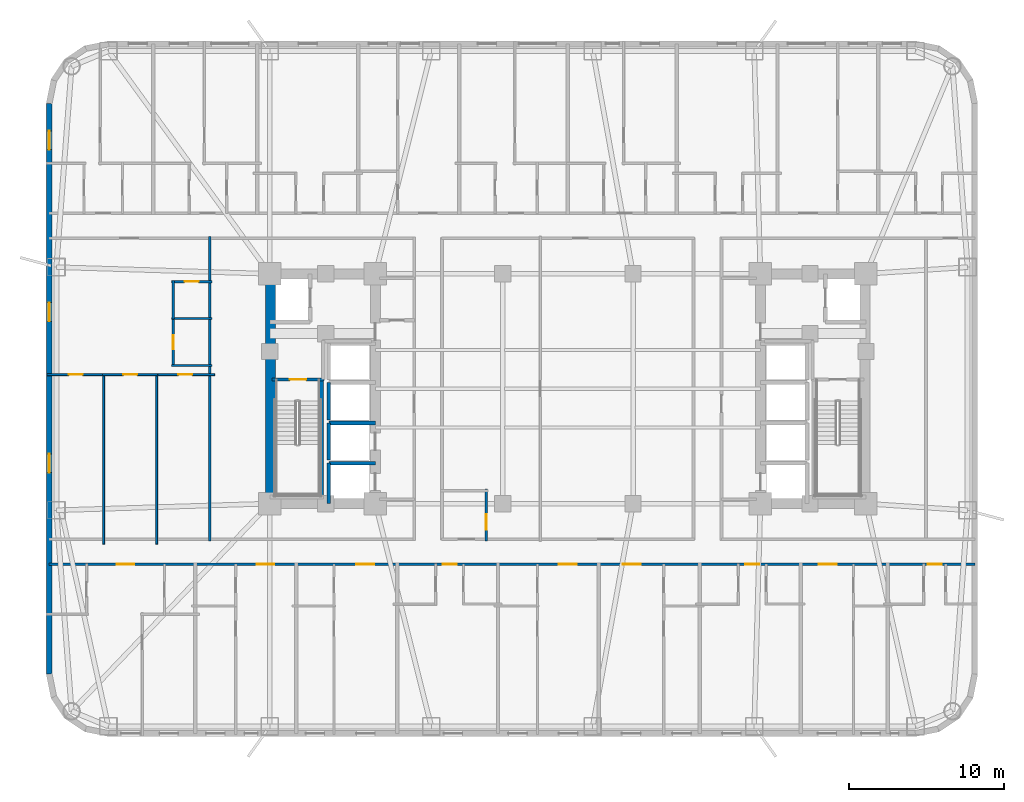
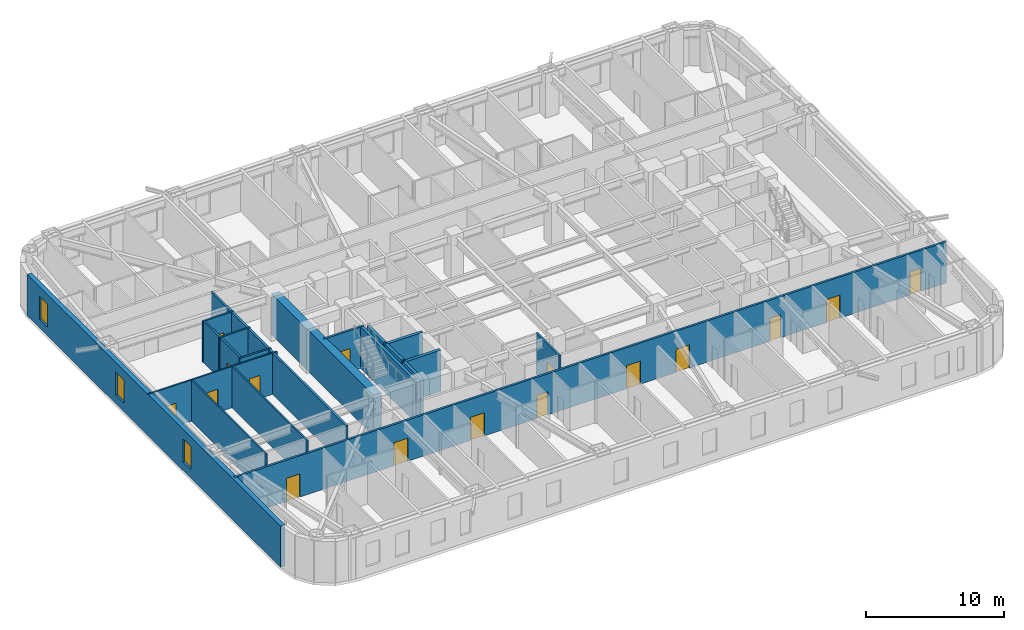
# One storey, part 4 of 11: 22 walls, 16 doors, 3 windows, 19 openings.
"""IFC4 building model written with IfcOpenShell, lengths in metres."""

from ifc_helpers import new_model, si_unit, direction, frame, frame_2d, origin, place, context, subcontext, project, spatial, rectangle, extrude, material, layer, layer_set, type_object, element, fill, save


model = new_model("IFC4")

# Units and contexts
model_context = context("Model", 3, precision=1e-05, world=origin(), true_north=direction((0.0, 1.0)))
body_context = subcontext(model_context, "Body", "Model", "MODEL_VIEW")
ifc_project = project(units=[si_unit("LENGTHUNIT", "METRE"), si_unit("AREAUNIT", "SQUARE_METRE"), si_unit("VOLUMEUNIT", "CUBIC_METRE"), si_unit("PLANEANGLEUNIT", "RADIAN"), si_unit("MASSUNIT", "GRAM", prefix="KILO")], contexts=[model_context])

# Site, building, storey
site_placement = place(None, origin())
site = spatial("IfcSite", under=ifc_project, at=site_placement, CompositionType="ELEMENT")
building_placement = place(site_placement, origin())
building = spatial("IfcBuilding", under=site, at=building_placement, Name="Voryun Gate Residences", CompositionType="ELEMENT")
storey_placement = place(building_placement, frame((0.0, 0.0, 49.39990234375)))
storey = spatial("IfcBuildingStorey", under=building, at=storey_placement, Name="L11", CompositionType="ELEMENT", Elevation=49.39990234375)

# Wall
ifc_material_1 = material(Name="Concrete C60/75", Category="concrete")
ifc_layer_1 = layer(ifc_material_1, 0.64990234375, Name="CW_CORE_650")
ifc_layer_set_1 = layer_set([ifc_layer_1], Name="Concrete C60/75")
wall_type_1 = type_object("IfcWallType", Name="CW_CORE_650", PredefinedType="SHEAR", material=ifc_layer_set_1)
wall_1_placement = place(storey_placement, frame((-19.14501953125, -7.39990234375, 0.0), z_axis=(0.0, 0.0, 1.0), x_axis=(0.0, 1.0, 0.0)))
element("IfcWall", 1, at=wall_1_placement, inside=storey, type_object=wall_type_1, Name="L11 Core shear wall CW-L11-WW", PredefinedType="SHEAR", context=body_context, shape_type="SweptSolid", body=[
    extrude(rectangle(XDim=14.7998046875, YDim=0.64990234375, at=frame_2d((7.39990234375, 0.0))), origin(), (0.0, 0.0, 1.0), 3.650146484375),
])

# Wall, opening, door
ifc_material_2 = material(Name="Gypsum acoustic fireboard")
ifc_layer_2 = layer(ifc_material_2, 0.179931640625, Name="W_CORR_RATED_180")
ifc_layer_set_2 = layer_set([ifc_layer_2], Name="Gypsum acoustic fireboard")
wall_type_2 = type_object("IfcWallType", Name="W_CORR_RATED_180", PredefinedType="PARTITIONING", material=ifc_layer_set_2)
wall_2_placement = place(storey_placement, frame((-19.06005859375, 0.60009765625, 0.0), z_axis=(0.0, 0.0, 1.0), x_axis=(1.0, 0.0, 0.0)))
wall_2 = element("IfcWall", 2, at=wall_2_placement, inside=storey, type_object=wall_type_2, Name="Partition wall WP-L11-STV-W", PredefinedType="PARTITIONING", context=body_context, shape_type="SweptSolid", body=[
    extrude(rectangle(XDim=3.360107421875, YDim=0.179931640625, at=frame_2d((1.68017578125, 0.0))), origin(), (0.0, 0.0, 1.0), 3.650146484375),
])
opening_1_placement = place(wall_2_placement, frame((1.155029296875, 0.0, 0.0)))
opening_1 = element("IfcOpeningElement", 3, at=opening_1_placement, cuts=wall_2, Name="Opening D-FD60-1", PredefinedType="OPENING", context=body_context, shape_type="SweptSolid", body=[
    extrude(rectangle(XDim=1.050048828125, YDim=2.050048828125, at=frame_2d((0.52490234375, 1.02490234375))), frame((0.0, 0.099853515625, 0.0), z_axis=(0.0, -1.0, 0.0), x_axis=(1.0, 0.0, 0.0)), (0.0, 0.0, 1.0), 0.199951171875),
])
ifc_material_3 = material(Name="Painted steel fire door", Category="steel")
door_type_1 = type_object("IfcDoorType", Name="DR_FD60_STAIR_1050", OperationType="NOTDEFINED", PredefinedType="DOOR", material=ifc_material_3)
door_1_placement = place(opening_1_placement, origin())
door_1 = element("IfcDoor", 4, at=door_1_placement, inside=storey, type_object=door_type_1, Name="Door DR-L11-ST-W", OperationType="SINGLE_SWING_LEFT", OverallHeight=2.050048828125, OverallWidth=1.050048828125, PredefinedType="DOOR", context=body_context, shape_type="SweptSolid", body=[
    extrude(rectangle(XDim=1.050048828125, YDim=2.050048828125, at=frame_2d((0.52490234375, 1.02490234375))), frame((0.0, 0.02490234375, 0.0), z_axis=(0.0, -1.0, 0.0), x_axis=(1.0, 0.0, 0.0)), (0.0, 0.0, 1.0), 0.050048828125),
])
fill(opening_1, door_1)

# Wall, openings, doors
wall_3_placement = place(storey_placement, frame((-33.409912109375, -11.300048828125, 0.0), z_axis=(0.0, 0.0, 1.0), x_axis=(1.0, 0.0, 0.0)))
wall_3 = element("IfcWall", 5, at=wall_3_placement, inside=storey, type_object=wall_type_2, Name="Partition wall WP-L11-SCORR", PredefinedType="PARTITIONING", context=body_context, shape_type="SweptSolid", body=[
    extrude(rectangle(XDim=59.619873046875, YDim=0.179931640625, at=frame_2d((29.81005859375, 0.0))), origin(), (0.0, 0.0, 1.0), 3.650146484375),
])
opening_2_placement = place(wall_3_placement, frame((4.34375, 0.0, 0.0)))
opening_2 = element("IfcOpeningElement", 6, at=opening_2_placement, cuts=wall_3, Name="Opening D-UNIT-1", PredefinedType="OPENING", context=body_context, shape_type="SweptSolid", body=[
    extrude(rectangle(XDim=1.14990234375, YDim=2.050048828125, at=frame_2d((0.574951171875, 1.02490234375))), frame((0.0, 0.099853515625, 0.0), z_axis=(0.0, -1.0, 0.0), x_axis=(1.0, 0.0, 0.0)), (0.0, 0.0, 1.0), 0.199951171875),
])
opening_3_placement = place(wall_3_placement, frame((13.358154296875, 0.0, 0.0)))
opening_3 = element("IfcOpeningElement", 7, at=opening_3_placement, cuts=wall_3, Name="Opening D-UNIT-1", PredefinedType="OPENING", context=body_context, shape_type="SweptSolid", body=[
    extrude(rectangle(XDim=1.14990234375, YDim=2.050048828125, at=frame_2d((0.574951171875, 1.02490234375))), frame((0.0, 0.099853515625, 0.0), z_axis=(0.0, -1.0, 0.0), x_axis=(1.0, 0.0, 0.0)), (0.0, 0.0, 1.0), 0.199951171875),
])
opening_4_placement = place(wall_3_placement, frame((19.773193359375, 0.0, 0.0)))
opening_4 = element("IfcOpeningElement", 8, at=opening_4_placement, cuts=wall_3, Name="Opening D-UNIT-1", PredefinedType="OPENING", context=body_context, shape_type="SweptSolid", body=[
    extrude(rectangle(XDim=1.14990234375, YDim=2.050048828125, at=frame_2d((0.574951171875, 1.02490234375))), frame((0.0, 0.099853515625, 0.0), z_axis=(0.0, -1.0, 0.0), x_axis=(1.0, 0.0, 0.0)), (0.0, 0.0, 1.0), 0.199951171875),
])
opening_5_placement = place(wall_3_placement, frame((25.335693359375, 0.0, 0.0)))
opening_5 = element("IfcOpeningElement", 9, at=opening_5_placement, cuts=wall_3, Name="Opening D-INT-2", PredefinedType="OPENING", context=body_context, shape_type="SweptSolid", body=[
    extrude(rectangle(XDim=0.89990234375, YDim=2.050048828125, at=frame_2d((0.449951171875, 1.02490234375))), frame((0.0, 0.099853515625, 0.0), z_axis=(0.0, -1.0, 0.0), x_axis=(1.0, 0.0, 0.0)), (0.0, 0.0, 1.0), 0.199951171875),
])
opening_6_placement = place(wall_3_placement, frame((32.830078125, 0.0, 0.0)))
opening_6 = element("IfcOpeningElement", 10, at=opening_6_placement, cuts=wall_3, Name="Opening D-UNIT-1", PredefinedType="OPENING", context=body_context, shape_type="SweptSolid", body=[
    extrude(rectangle(XDim=1.14990234375, YDim=2.050048828125, at=frame_2d((0.574951171875, 1.02490234375))), frame((0.0, 0.099853515625, 0.0), z_axis=(0.0, -1.0, 0.0), x_axis=(1.0, 0.0, 0.0)), (0.0, 0.0, 1.0), 0.199951171875),
])
opening_7_placement = place(wall_3_placement, frame((36.94970703125, 0.0, 0.0)))
opening_7 = element("IfcOpeningElement", 11, at=opening_7_placement, cuts=wall_3, Name="Opening D-UNIT-1", PredefinedType="OPENING", context=body_context, shape_type="SweptSolid", body=[
    extrude(rectangle(XDim=1.14990234375, YDim=2.050048828125, at=frame_2d((0.574951171875, 1.02490234375))), frame((0.0, 0.099853515625, 0.0), z_axis=(0.0, -1.0, 0.0), x_axis=(1.0, 0.0, 0.0)), (0.0, 0.0, 1.0), 0.199951171875),
])
opening_8_placement = place(wall_3_placement, frame((44.83740234375, 0.0, 0.0)))
opening_8 = element("IfcOpeningElement", 12, at=opening_8_placement, cuts=wall_3, Name="Opening D-INT-2", PredefinedType="OPENING", context=body_context, shape_type="SweptSolid", body=[
    extrude(rectangle(XDim=0.89990234375, YDim=2.050048828125, at=frame_2d((0.449951171875, 1.02490234375))), frame((0.0, 0.099853515625, 0.0), z_axis=(0.0, -1.0, 0.0), x_axis=(1.0, 0.0, 0.0)), (0.0, 0.0, 1.0), 0.199951171875),
])
opening_9_placement = place(wall_3_placement, frame((49.5654296875, 0.0, 0.0)))
opening_9 = element("IfcOpeningElement", 13, at=opening_9_placement, cuts=wall_3, Name="Opening D-UNIT-1", PredefinedType="OPENING", context=body_context, shape_type="SweptSolid", body=[
    extrude(rectangle(XDim=1.14990234375, YDim=2.050048828125, at=frame_2d((0.574951171875, 1.02490234375))), frame((0.0, 0.099853515625, 0.0), z_axis=(0.0, -1.0, 0.0), x_axis=(1.0, 0.0, 0.0)), (0.0, 0.0, 1.0), 0.199951171875),
])
opening_10_placement = place(wall_3_placement, frame((56.58251953125, 0.0, 0.0)))
opening_10 = element("IfcOpeningElement", 14, at=opening_10_placement, cuts=wall_3, Name="Opening D-INT-2", PredefinedType="OPENING", context=body_context, shape_type="SweptSolid", body=[
    extrude(rectangle(XDim=0.89990234375, YDim=2.050048828125, at=frame_2d((0.449951171875, 1.02490234375))), frame((0.0, 0.099853515625, 0.0), z_axis=(0.0, -1.0, 0.0), x_axis=(1.0, 0.0, 0.0)), (0.0, 0.0, 1.0), 0.199951171875),
])
ifc_material_4 = material(Name="Architectural oak veneer")
door_type_2 = type_object("IfcDoorType", Name="DR_INT_BATH_900", OperationType="NOTDEFINED", PredefinedType="DOOR", material=ifc_material_4)
door_2_placement = place(opening_5_placement, origin())
door_2 = element("IfcDoor", 15, at=door_2_placement, inside=storey, type_object=door_type_2, Name="Door DR-L11-SENT-4", OperationType="SINGLE_SWING_LEFT", OverallHeight=2.050048828125, OverallWidth=0.89990234375, PredefinedType="DOOR", context=body_context, shape_type="SweptSolid", body=[
    extrude(rectangle(XDim=0.89990234375, YDim=2.050048828125, at=frame_2d((0.449951171875, 1.02490234375))), frame((0.0, 0.02490234375, 0.0), z_axis=(0.0, -1.0, 0.0), x_axis=(1.0, 0.0, 0.0)), (0.0, 0.0, 1.0), 0.050048828125),
])
fill(opening_5, door_2)
door_3_placement = place(opening_8_placement, origin())
door_3 = element("IfcDoor", 16, at=door_3_placement, inside=storey, type_object=door_type_2, Name="Door DR-L11-SENT-7", OperationType="SINGLE_SWING_RIGHT", OverallHeight=2.050048828125, OverallWidth=0.89990234375, PredefinedType="DOOR", context=body_context, shape_type="SweptSolid", body=[
    extrude(rectangle(XDim=0.89990234375, YDim=2.050048828125, at=frame_2d((0.449951171875, 1.02490234375))), frame((0.0, 0.02490234375, 0.0), z_axis=(0.0, -1.0, 0.0), x_axis=(1.0, 0.0, 0.0)), (0.0, 0.0, 1.0), 0.050048828125),
])
fill(opening_8, door_3)
door_4_placement = place(opening_10_placement, origin())
door_4 = element("IfcDoor", 17, at=door_4_placement, inside=storey, type_object=door_type_2, Name="Door DR-L11-SENT-9", OperationType="SINGLE_SWING_RIGHT", OverallHeight=2.050048828125, OverallWidth=0.89990234375, PredefinedType="DOOR", context=body_context, shape_type="SweptSolid", body=[
    extrude(rectangle(XDim=0.89990234375, YDim=2.050048828125, at=frame_2d((0.449951171875, 1.02490234375))), frame((0.0, 0.02490234375, 0.0), z_axis=(0.0, -1.0, 0.0), x_axis=(1.0, 0.0, 0.0)), (0.0, 0.0, 1.0), 0.050048828125),
])
fill(opening_10, door_4)
ifc_material_5 = material(Name="Armoured timber-clad fire door", Category="wood")
door_type_3 = type_object("IfcDoorType", Name="DR_UNIT_ENTRY_1150", OperationType="NOTDEFINED", PredefinedType="DOOR", material=ifc_material_5)
door_5_placement = place(opening_2_placement, origin())
door_5 = element("IfcDoor", 18, at=door_5_placement, inside=storey, type_object=door_type_3, Name="Door DR-L11-SENT-1", OperationType="SINGLE_SWING_RIGHT", OverallHeight=2.050048828125, OverallWidth=1.14990234375, PredefinedType="DOOR", context=body_context, shape_type="SweptSolid", body=[
    extrude(rectangle(XDim=1.14990234375, YDim=2.050048828125, at=frame_2d((0.574951171875, 1.02490234375))), frame((0.0, 0.02490234375, 0.0), z_axis=(0.0, -1.0, 0.0), x_axis=(1.0, 0.0, 0.0)), (0.0, 0.0, 1.0), 0.050048828125),
])
fill(opening_2, door_5)
door_6_placement = place(opening_3_placement, origin())
door_6 = element("IfcDoor", 19, at=door_6_placement, inside=storey, type_object=door_type_3, Name="Door DR-L11-SENT-2", OperationType="SINGLE_SWING_LEFT", OverallHeight=2.050048828125, OverallWidth=1.14990234375, PredefinedType="DOOR", context=body_context, shape_type="SweptSolid", body=[
    extrude(rectangle(XDim=1.14990234375, YDim=2.050048828125, at=frame_2d((0.574951171875, 1.02490234375))), frame((0.0, 0.02490234375, 0.0), z_axis=(0.0, -1.0, 0.0), x_axis=(1.0, 0.0, 0.0)), (0.0, 0.0, 1.0), 0.050048828125),
])
fill(opening_3, door_6)
door_7_placement = place(opening_4_placement, origin())
door_7 = element("IfcDoor", 20, at=door_7_placement, inside=storey, type_object=door_type_3, Name="Door DR-L11-SENT-3", OperationType="SINGLE_SWING_RIGHT", OverallHeight=2.050048828125, OverallWidth=1.14990234375, PredefinedType="DOOR", context=body_context, shape_type="SweptSolid", body=[
    extrude(rectangle(XDim=1.14990234375, YDim=2.050048828125, at=frame_2d((0.574951171875, 1.02490234375))), frame((0.0, 0.02490234375, 0.0), z_axis=(0.0, -1.0, 0.0), x_axis=(1.0, 0.0, 0.0)), (0.0, 0.0, 1.0), 0.050048828125),
])
fill(opening_4, door_7)
door_8_placement = place(opening_6_placement, origin())
door_8 = element("IfcDoor", 21, at=door_8_placement, inside=storey, type_object=door_type_3, Name="Door DR-L11-SENT-5", OperationType="SINGLE_SWING_RIGHT", OverallHeight=2.050048828125, OverallWidth=1.14990234375, PredefinedType="DOOR", context=body_context, shape_type="SweptSolid", body=[
    extrude(rectangle(XDim=1.14990234375, YDim=2.050048828125, at=frame_2d((0.574951171875, 1.02490234375))), frame((0.0, 0.02490234375, 0.0), z_axis=(0.0, -1.0, 0.0), x_axis=(1.0, 0.0, 0.0)), (0.0, 0.0, 1.0), 0.050048828125),
])
fill(opening_6, door_8)
door_9_placement = place(opening_7_placement, origin())
door_9 = element("IfcDoor", 22, at=door_9_placement, inside=storey, type_object=door_type_3, Name="Door DR-L11-SENT-6", OperationType="SINGLE_SWING_LEFT", OverallHeight=2.050048828125, OverallWidth=1.14990234375, PredefinedType="DOOR", context=body_context, shape_type="SweptSolid", body=[
    extrude(rectangle(XDim=1.14990234375, YDim=2.050048828125, at=frame_2d((0.574951171875, 1.02490234375))), frame((0.0, 0.02490234375, 0.0), z_axis=(0.0, -1.0, 0.0), x_axis=(1.0, 0.0, 0.0)), (0.0, 0.0, 1.0), 0.050048828125),
])
fill(opening_7, door_9)
door_10_placement = place(opening_9_placement, origin())
door_10 = element("IfcDoor", 23, at=door_10_placement, inside=storey, type_object=door_type_3, Name="Door DR-L11-SENT-8", OperationType="SINGLE_SWING_LEFT", OverallHeight=2.050048828125, OverallWidth=1.14990234375, PredefinedType="DOOR", context=body_context, shape_type="SweptSolid", body=[
    extrude(rectangle(XDim=1.14990234375, YDim=2.050048828125, at=frame_2d((0.574951171875, 1.02490234375))), frame((0.0, 0.02490234375, 0.0), z_axis=(0.0, -1.0, 0.0), x_axis=(1.0, 0.0, 0.0)), (0.0, 0.0, 1.0), 0.050048828125),
])
fill(opening_9, door_10)

# Wall
wall_4_placement = place(storey_placement, frame((-23.070068359375, -9.81005859375, 0.0), z_axis=(0.0, 0.0, 1.0), x_axis=(0.0, 1.0, 0.0)))
element("IfcWall", 24, at=wall_4_placement, inside=storey, type_object=wall_type_2, Name="Partition wall WP-L11-WCOR", PredefinedType="PARTITIONING", context=body_context, shape_type="SweptSolid", body=[
    extrude(rectangle(XDim=19.6201171875, YDim=0.179931640625, at=frame_2d((9.81005859375, 0.0))), origin(), (0.0, 0.0, 1.0), 3.650146484375),
])

# Wall, openings, windows
ifc_material_6 = material(Name="Granite masonry", Category="masonry")
ifc_layer_3 = layer(ifc_material_6, 0.3798828125, Name="W_EXT_GRANITE_380")
ifc_layer_set_3 = layer_set([ifc_layer_3], Name="Granite masonry")
wall_type_3 = type_object("IfcWallType", Name="W_EXT_GRANITE_380", PredefinedType="ELEMENTEDWALL", material=ifc_layer_set_3)
wall_5_placement = place(storey_placement, frame((-33.409912109375, -18.38134765625, 0.0), z_axis=(0.0, 0.0, 1.0), x_axis=(0.0, 1.0, 0.0)))
wall_5 = element("IfcWall", 25, at=wall_5_placement, inside=storey, type_object=wall_type_3, Name="Exterior wall WEXT-L11-06", PredefinedType="ELEMENTEDWALL", context=body_context, shape_type="SweptSolid", body=[
    extrude(rectangle(XDim=36.7626953125, YDim=0.3798828125, at=frame_2d((18.38134765625, 0.0))), origin(), (0.0, 0.0, 1.0), 3.650146484375),
])
opening_11_placement = place(wall_5_placement, frame((33.786865234375, 0.0, 0.75)))
opening_11 = element("IfcOpeningElement", 26, at=opening_11_placement, cuts=wall_5, Name="Opening WN6", PredefinedType="OPENING", context=body_context, shape_type="SweptSolid", body=[
    extrude(rectangle(XDim=1.199951171875, YDim=2.050048828125, at=frame_2d((0.60009765625, 1.02490234375))), frame((0.0, 0.199951171875, 0.0), z_axis=(0.0, -1.0, 0.0), x_axis=(1.0, 0.0, 0.0)), (0.0, 0.0, 1.0), 0.39990234375),
])
opening_12_placement = place(wall_5_placement, frame((22.726318359375, 0.0, 0.75)))
opening_12 = element("IfcOpeningElement", 27, at=opening_12_placement, cuts=wall_5, Name="Opening WN6", PredefinedType="OPENING", context=body_context, shape_type="SweptSolid", body=[
    extrude(rectangle(XDim=1.199951171875, YDim=2.050048828125, at=frame_2d((0.60009765625, 1.02490234375))), frame((0.0, 0.199951171875, 0.0), z_axis=(0.0, -1.0, 0.0), x_axis=(1.0, 0.0, 0.0)), (0.0, 0.0, 1.0), 0.39990234375),
])
opening_13_placement = place(wall_5_placement, frame((12.976318359375, 0.0, 0.75)))
opening_13 = element("IfcOpeningElement", 28, at=opening_13_placement, cuts=wall_5, Name="Opening WN6", PredefinedType="OPENING", context=body_context, shape_type="SweptSolid", body=[
    extrude(rectangle(XDim=1.199951171875, YDim=2.050048828125, at=frame_2d((0.60009765625, 1.02490234375))), frame((0.0, 0.199951171875, 0.0), z_axis=(0.0, -1.0, 0.0), x_axis=(1.0, 0.0, 0.0)), (0.0, 0.0, 1.0), 0.39990234375),
])
ifc_material_7 = material(Name="Laminated low-E glass", Category="glass")
window_type = type_object("IfcWindowType", Name="WN_POD_SLOT_1200", PartitioningType="SINGLE_PANEL", PredefinedType="WINDOW", material=ifc_material_7)
window_1_placement = place(opening_11_placement, origin())
window_1 = element("IfcWindow", 29, at=window_1_placement, inside=storey, type_object=window_type, Name="Window WN-L11-DWFIX-01", OverallHeight=2.050048828125, OverallWidth=1.199951171875, PartitioningType="SINGLE_PANEL", PredefinedType="WINDOW", context=body_context, shape_type="SweptSolid", body=[
    extrude(rectangle(XDim=1.199951171875, YDim=2.050048828125, at=frame_2d((0.60009765625, 1.02490234375))), frame((0.0, 0.030029296875, 0.0), z_axis=(0.0, -1.0, 0.0), x_axis=(1.0, 0.0, 0.0)), (0.0, 0.0, 1.0), 0.06005859375),
])
fill(opening_11, window_1)
window_2_placement = place(opening_12_placement, origin())
window_2 = element("IfcWindow", 30, at=window_2_placement, inside=storey, type_object=window_type, Name="Window WN-L11-DWFIX-28", OverallHeight=2.050048828125, OverallWidth=1.199951171875, PartitioningType="SINGLE_PANEL", PredefinedType="WINDOW", context=body_context, shape_type="SweptSolid", body=[
    extrude(rectangle(XDim=1.199951171875, YDim=2.050048828125, at=frame_2d((0.60009765625, 1.02490234375))), frame((0.0, 0.030029296875, 0.0), z_axis=(0.0, -1.0, 0.0), x_axis=(1.0, 0.0, 0.0)), (0.0, 0.0, 1.0), 0.06005859375),
])
fill(opening_12, window_2)
window_3_placement = place(opening_13_placement, origin())
window_3 = element("IfcWindow", 31, at=window_3_placement, inside=storey, type_object=window_type, Name="Window WN-L11-DWFIX-29", OverallHeight=2.050048828125, OverallWidth=1.199951171875, PartitioningType="SINGLE_PANEL", PredefinedType="WINDOW", context=body_context, shape_type="SweptSolid", body=[
    extrude(rectangle(XDim=1.199951171875, YDim=2.050048828125, at=frame_2d((0.60009765625, 1.02490234375))), frame((0.0, 0.030029296875, 0.0), z_axis=(0.0, -1.0, 0.0), x_axis=(1.0, 0.0, 0.0)), (0.0, 0.0, 1.0), 0.06005859375),
])
fill(opening_13, window_3)

# Walls
ifc_material_8 = material(Name="Concrete C50/60", Category="concrete")
ifc_layer_4 = layer(ifc_material_8, 0.25, Name="W_SHAFT_RC250")
ifc_layer_set_4 = layer_set([ifc_layer_4], Name="Concrete C50/60")
wall_type_4 = type_object("IfcWallType", Name="W_SHAFT_RC250", PredefinedType="SOLIDWALL", material=ifc_layer_set_4)
wall_6_placement = place(storey_placement, frame((-15.860107421875, -7.0849609375, 0.0), z_axis=(0.0, 0.0, 1.0), x_axis=(0.0, 1.0, 0.0)))
element("IfcWall", 32, at=wall_6_placement, inside=storey, type_object=wall_type_4, Name="L11 Stair shaft structural wall W-STR", PredefinedType="SOLIDWALL", context=body_context, shape_type="SweptSolid", body=[
    extrude(rectangle(XDim=7.68505859375, YDim=0.25, at=frame_2d((3.842529296875, 0.0))), origin(), (0.0, 0.0, 1.0), 3.650146484375),
])
wall_7_placement = place(storey_placement, frame((-12.39990234375, -4.800048828125, 0.0), z_axis=(0.0, 0.0, 1.0), x_axis=(-1.0, 0.0, 0.0)))
element("IfcWall", 33, at=wall_7_placement, inside=storey, type_object=wall_type_4, Name="Lift shaft wall WSH-L11-EL-P1-N", PredefinedType="SOLIDWALL", context=body_context, shape_type="SweptSolid", body=[
    extrude(rectangle(XDim=3.0, YDim=0.25, at=frame_2d((1.5, 0.0))), origin(), (0.0, 0.0, 1.0), 3.650146484375),
])
wall_8_placement = place(storey_placement, frame((-15.39990234375, -4.800048828125, 0.0), z_axis=(0.0, 0.0, 1.0), x_axis=(0.0, -1.0, 0.0)))
element("IfcWall", 34, at=wall_8_placement, inside=storey, type_object=wall_type_4, Name="Lift shaft wall WSH-L11-EL-P1-W", PredefinedType="SOLIDWALL", context=body_context, shape_type="SweptSolid", body=[
    extrude(rectangle(XDim=2.599853515625, YDim=0.25, at=frame_2d((1.2998046875, 0.0))), origin(), (0.0, 0.0, 1.0), 3.650146484375),
])
wall_9_placement = place(storey_placement, frame((-12.39990234375, -2.199951171875, 0.0), z_axis=(0.0, 0.0, 1.0), x_axis=(-1.0, 0.0, 0.0)))
element("IfcWall", 35, at=wall_9_placement, inside=storey, type_object=wall_type_4, Name="Lift shaft wall WSH-L11-EL-P2-N", PredefinedType="SOLIDWALL", context=body_context, shape_type="SweptSolid", body=[
    extrude(rectangle(XDim=3.0, YDim=0.25, at=frame_2d((1.5, 0.0))), origin(), (0.0, 0.0, 1.0), 3.650146484375),
])
wall_10_placement = place(storey_placement, frame((-15.39990234375, -2.199951171875, 0.0), z_axis=(0.0, 0.0, 1.0), x_axis=(0.0, -1.0, 0.0)))
element("IfcWall", 36, at=wall_10_placement, inside=storey, type_object=wall_type_4, Name="Lift shaft wall WSH-L11-EL-P2-W", PredefinedType="SOLIDWALL", context=body_context, shape_type="SweptSolid", body=[
    extrude(rectangle(XDim=2.400146484375, YDim=0.25, at=frame_2d((1.2001953125, 0.0))), origin(), (0.0, 0.0, 1.0), 3.650146484375),
])
wall_11_placement = place(storey_placement, frame((-15.39990234375, 0.39990234375, 0.0), z_axis=(0.0, 0.0, 1.0), x_axis=(0.0, -1.0, 0.0)))
element("IfcWall", 37, at=wall_11_placement, inside=storey, type_object=wall_type_4, Name="Lift shaft wall WSH-L11-EL-P4-W", PredefinedType="SOLIDWALL", context=body_context, shape_type="SweptSolid", body=[
    extrude(rectangle(XDim=2.39990234375, YDim=0.25, at=frame_2d((1.199951171875, 0.0))), origin(), (0.0, 0.0, 1.0), 3.650146484375),
])

# Wall, opening, door
ifc_material_9 = material(Name="Gypsum acoustic partition")
ifc_layer_5 = layer(ifc_material_9, 0.125, Name="W_UNIT_PART_125")
ifc_layer_set_5 = layer_set([ifc_layer_5], Name="Gypsum acoustic partition")
wall_type_5 = type_object("IfcWallType", Name="W_UNIT_PART_125", PredefinedType="PARTITIONING", material=ifc_layer_set_5)
wall_12_placement = place(storey_placement, frame((-33.56005859375, 0.909912109375, 0.0), z_axis=(0.0, 0.0, 1.0), x_axis=(1.0, 0.0, 0.0)))
wall_12 = element("IfcWall", 38, at=wall_12_placement, inside=storey, type_object=wall_type_5, Name="Partition wall WP-L11-W1-HZMB1", PredefinedType="PARTITIONING", context=body_context, shape_type="SweptSolid", body=[
    extrude(rectangle(XDim=3.7236328125, YDim=0.125, at=frame_2d((1.86181640625, 0.0))), origin(), (0.0, 0.0, 1.0), 3.650146484375),
])
opening_14_placement = place(wall_12_placement, frame((1.42041015625, 0.0, 0.0)))
opening_14 = element("IfcOpeningElement", 39, at=opening_14_placement, cuts=wall_12, Name="Opening D-INT-2", PredefinedType="OPENING", context=body_context, shape_type="SweptSolid", body=[
    extrude(rectangle(XDim=0.89990234375, YDim=2.050048828125, at=frame_2d((0.449951171875, 1.02490234375))), frame((0.0, 0.072509765625, 0.0), z_axis=(0.0, -1.0, 0.0), x_axis=(1.0, 0.0, 0.0)), (0.0, 0.0, 1.0), 0.14501953125),
])
door_11_placement = place(opening_14_placement, origin())
door_11 = element("IfcDoor", 40, at=door_11_placement, inside=storey, type_object=door_type_2, Name="Door DR-L11-W1-DMB", OperationType="SINGLE_SWING_LEFT", OverallHeight=2.050048828125, OverallWidth=0.89990234375, PredefinedType="DOOR", context=body_context, shape_type="SweptSolid", body=[
    extrude(rectangle(XDim=0.89990234375, YDim=2.050048828125, at=frame_2d((0.449951171875, 1.02490234375))), frame((0.0, 0.02490234375, 0.0), z_axis=(0.0, -1.0, 0.0), x_axis=(1.0, 0.0, 0.0)), (0.0, 0.0, 1.0), 0.050048828125),
])
fill(opening_14, door_11)

wall_13_placement = place(storey_placement, frame((-29.96142578125, 0.909912109375, 0.0), z_axis=(0.0, 0.0, 1.0), x_axis=(1.0, 0.0, 0.0)))
wall_13 = element("IfcWall", 41, at=wall_13_placement, inside=storey, type_object=wall_type_5, Name="Partition wall WP-L11-W1-HZMB2", PredefinedType="PARTITIONING", context=body_context, shape_type="SweptSolid", body=[
    extrude(rectangle(XDim=3.538818359375, YDim=0.125, at=frame_2d((1.76953125, 0.0))), origin(), (0.0, 0.0, 1.0), 3.650146484375),
])
opening_15_placement = place(wall_13_placement, frame((1.319580078125, 0.0, 0.0)))
opening_15 = element("IfcOpeningElement", 42, at=opening_15_placement, cuts=wall_13, Name="Opening D-INT-2", PredefinedType="OPENING", context=body_context, shape_type="SweptSolid", body=[
    extrude(rectangle(XDim=0.89990234375, YDim=2.050048828125, at=frame_2d((0.449951171875, 1.02490234375))), frame((0.0, 0.072509765625, 0.0), z_axis=(0.0, -1.0, 0.0), x_axis=(1.0, 0.0, 0.0)), (0.0, 0.0, 1.0), 0.14501953125),
])
door_12_placement = place(opening_15_placement, origin())
door_12 = element("IfcDoor", 43, at=door_12_placement, inside=storey, type_object=door_type_2, Name="Door DR-L11-W1-DBD2", OperationType="SINGLE_SWING_RIGHT", OverallHeight=2.050048828125, OverallWidth=0.89990234375, PredefinedType="DOOR", context=body_context, shape_type="SweptSolid", body=[
    extrude(rectangle(XDim=0.89990234375, YDim=2.050048828125, at=frame_2d((0.449951171875, 1.02490234375))), frame((0.0, 0.02490234375, 0.0), z_axis=(0.0, -1.0, 0.0), x_axis=(1.0, 0.0, 0.0)), (0.0, 0.0, 1.0), 0.050048828125),
])
fill(opening_15, door_12)

wall_14_placement = place(storey_placement, frame((-26.547607421875, 0.909912109375, 0.0), z_axis=(0.0, 0.0, 1.0), x_axis=(1.0, 0.0, 0.0)))
wall_14 = element("IfcWall", 44, at=wall_14_placement, inside=storey, type_object=wall_type_5, Name="Partition wall WP-L11-W1-HZMB3", PredefinedType="PARTITIONING", context=body_context, shape_type="SweptSolid", body=[
    extrude(rectangle(XDim=3.797607421875, YDim=0.125, at=frame_2d((1.89892578125, 0.0))), origin(), (0.0, 0.0, 1.0), 3.650146484375),
])
opening_16_placement = place(wall_14_placement, frame((1.43994140625, 0.0, 0.0)))
opening_16 = element("IfcOpeningElement", 45, at=opening_16_placement, cuts=wall_14, Name="Opening D-INT-2", PredefinedType="OPENING", context=body_context, shape_type="SweptSolid", body=[
    extrude(rectangle(XDim=0.89990234375, YDim=2.050048828125, at=frame_2d((0.449951171875, 1.02490234375))), frame((0.0, 0.072509765625, 0.0), z_axis=(0.0, -1.0, 0.0), x_axis=(1.0, 0.0, 0.0)), (0.0, 0.0, 1.0), 0.14501953125),
])
door_13_placement = place(opening_16_placement, origin())
door_13 = element("IfcDoor", 46, at=door_13_placement, inside=storey, type_object=door_type_2, Name="Door DR-L11-W1-DBD3", OperationType="SINGLE_SWING_LEFT", OverallHeight=2.050048828125, OverallWidth=0.89990234375, PredefinedType="DOOR", context=body_context, shape_type="SweptSolid", body=[
    extrude(rectangle(XDim=0.89990234375, YDim=2.050048828125, at=frame_2d((0.449951171875, 1.02490234375))), frame((0.0, 0.02490234375, 0.0), z_axis=(0.0, -1.0, 0.0), x_axis=(1.0, 0.0, 0.0)), (0.0, 0.0, 1.0), 0.050048828125),
])
fill(opening_16, door_13)

# Walls
for number, where, z_axis, x_axis, name in (
    (47, (-26.485107421875, -10.010009765625, 0.0), (0.0, 0.0, 1.0), (0.0, 1.0, 0.0), "Partition wall WP-L11-W1-VMB2"),
    (48, (-29.89892578125, -10.010009765625, 0.0), (0.0, 0.0, 1.0), (0.0, 1.0, 0.0), "Partition wall WP-L11-W1-VMB"),
):
    element("IfcWall", number, at=place(storey_placement, frame(where, z_axis=z_axis, x_axis=x_axis)), inside=storey, type_object=wall_type_5, Name=name, PredefinedType="PARTITIONING", context=body_context, shape_type="SweptSolid", body=[
        extrude(rectangle(XDim=10.97998046875, YDim=0.125, at=frame_2d((5.489990234375, 0.0))), origin(), (0.0, 0.0, 1.0), 3.650146484375),
    ])

# Wall, opening, door
ifc_material_10 = material(Name="Gypsum moisture-resistant partition")
ifc_layer_6 = layer(ifc_material_10, 0.14990234375, Name="W_WET_PLUMB_150")
ifc_layer_set_6 = layer_set([ifc_layer_6], Name="Gypsum moisture-resistant partition")
wall_type_6 = type_object("IfcWallType", Name="W_WET_PLUMB_150", PredefinedType="PLUMBINGWALL", material=ifc_layer_set_6)
wall_15_placement = place(storey_placement, frame((-5.260009765625, -9.820068359375, 0.0), z_axis=(0.0, 0.0, 1.0), x_axis=(0.0, 1.0, 0.0)))
wall_15 = element("IfcWall", 49, at=wall_15_placement, inside=storey, type_object=wall_type_6, Name="Partition wall WP-L11-CMWCX", PredefinedType="PLUMBINGWALL", context=body_context, shape_type="SweptSolid", body=[
    extrude(rectangle(XDim=3.35009765625, YDim=0.14990234375, at=frame_2d((1.675048828125, 0.0))), origin(), (0.0, 0.0, 1.0), 3.650146484375),
])
opening_17_placement = place(wall_15_placement, frame((0.735107421875, 0.0, 0.0)))
opening_17 = element("IfcOpeningElement", 50, at=opening_17_placement, cuts=wall_15, Name="Opening D-AWC-1", PredefinedType="OPENING", context=body_context, shape_type="SweptSolid", body=[
    extrude(rectangle(XDim=1.0, YDim=2.050048828125, at=frame_2d((0.5, 1.02490234375))), frame((0.0, 0.0849609375, 0.0), z_axis=(0.0, -1.0, 0.0), x_axis=(1.0, 0.0, 0.0)), (0.0, 0.0, 1.0), 0.169921875),
])
ifc_material_11 = material(Name="Architectural oak veneer")
door_type_4 = type_object("IfcDoorType", Name="DR_ACC_WC_1000", OperationType="NOTDEFINED", PredefinedType="DOOR", material=ifc_material_11)
door_14_placement = place(opening_17_placement, origin())
door_14 = element("IfcDoor", 51, at=door_14_placement, inside=storey, type_object=door_type_4, Name="Door DR-L11-CMWC", OperationType="SINGLE_SWING_LEFT", OverallHeight=2.050048828125, OverallWidth=1.0, PredefinedType="DOOR", context=body_context, shape_type="SweptSolid", body=[
    extrude(rectangle(XDim=1.0, YDim=2.050048828125, at=frame_2d((0.5, 1.02490234375))), frame((0.0, 0.02490234375, 0.0), z_axis=(0.0, -1.0, 0.0), x_axis=(1.0, 0.0, 0.0)), (0.0, 0.0, 1.0), 0.050048828125),
])
fill(opening_17, door_14)

wall_16_placement = place(storey_placement, frame((-25.5400390625, 6.89990234375, 0.0), z_axis=(0.0, 0.0, 1.0), x_axis=(1.0, 0.0, 0.0)))
wall_16 = element("IfcWall", 52, at=wall_16_placement, inside=storey, type_object=wall_type_6, Name="Partition wall WP-L11-W1-IBT", PredefinedType="PLUMBINGWALL", context=body_context, shape_type="SweptSolid", body=[
    extrude(rectangle(XDim=2.6201171875, YDim=0.14990234375, at=frame_2d((1.31005859375, 0.0))), origin(), (0.0, 0.0, 1.0), 3.650146484375),
])
opening_18_placement = place(wall_16_placement, frame((0.860107421875, 0.0, 0.0)))
opening_18 = element("IfcOpeningElement", 53, at=opening_18_placement, cuts=wall_16, Name="Opening D-INT-2", PredefinedType="OPENING", context=body_context, shape_type="SweptSolid", body=[
    extrude(rectangle(XDim=0.89990234375, YDim=2.050048828125, at=frame_2d((0.449951171875, 1.02490234375))), frame((0.0, 0.0849609375, 0.0), z_axis=(0.0, -1.0, 0.0), x_axis=(1.0, 0.0, 0.0)), (0.0, 0.0, 1.0), 0.169921875),
])
door_15_placement = place(opening_18_placement, origin())
door_15 = element("IfcDoor", 54, at=door_15_placement, inside=storey, type_object=door_type_2, Name="Door DR-L11-W1-DK", OperationType="SINGLE_SWING_LEFT", OverallHeight=2.050048828125, OverallWidth=0.89990234375, PredefinedType="DOOR", context=body_context, shape_type="SweptSolid", body=[
    extrude(rectangle(XDim=0.89990234375, YDim=2.050048828125, at=frame_2d((0.449951171875, 1.02490234375))), frame((0.0, 0.02490234375, 0.0), z_axis=(0.0, -1.0, 0.0), x_axis=(1.0, 0.0, 0.0)), (0.0, 0.0, 1.0), 0.050048828125),
])
fill(opening_18, door_15)

# Walls
for number, where, z_axis, x_axis, name in (
    (55, (-25.5400390625, 4.52001953125, 0.0), (0.0, 0.0, 1.0), (1.0, 0.0, 0.0), "Partition wall WP-L11-W1-IKB"),
    (56, (-25.5400390625, 1.5, 0.0), (0.0, 0.0, 1.0), (1.0, 0.0, 0.0), "Partition wall WP-L11-W1-IBB"),
):
    element("IfcWall", number, at=place(storey_placement, frame(where, z_axis=z_axis, x_axis=x_axis)), inside=storey, type_object=wall_type_6, Name=name, PredefinedType="PLUMBINGWALL", context=body_context, shape_type="SweptSolid", body=[
        extrude(rectangle(XDim=2.6201171875, YDim=0.14990234375, at=frame_2d((1.31005859375, 0.0))), origin(), (0.0, 0.0, 1.0), 3.650146484375),
    ])

# Wall, opening, door
wall_17_placement = place(storey_placement, frame((-25.419921875, 1.43994140625, 0.0), z_axis=(0.0, 0.0, 1.0), x_axis=(0.0, 1.0, 0.0)))
wall_17 = element("IfcWall", 57, at=wall_17_placement, inside=storey, type_object=wall_type_6, Name="Partition wall WP-L11-W1-VTSK1", PredefinedType="PLUMBINGWALL", context=body_context, shape_type="SweptSolid", body=[
    extrude(rectangle(XDim=3.1201171875, YDim=0.14990234375, at=frame_2d((1.56005859375, 0.0))), origin(), (0.0, 0.0, 1.0), 3.650146484375),
])
opening_19_placement = place(wall_17_placement, frame((1.110107421875, 0.0, 0.0)))
opening_19 = element("IfcOpeningElement", 58, at=opening_19_placement, cuts=wall_17, Name="Opening D-INT-2", PredefinedType="OPENING", context=body_context, shape_type="SweptSolid", body=[
    extrude(rectangle(XDim=0.89990234375, YDim=2.050048828125, at=frame_2d((0.449951171875, 1.02490234375))), frame((0.0, 0.0849609375, 0.0), z_axis=(0.0, -1.0, 0.0), x_axis=(1.0, 0.0, 0.0)), (0.0, 0.0, 1.0), 0.169921875),
])
door_16_placement = place(opening_19_placement, origin())
door_16 = element("IfcDoor", 59, at=door_16_placement, inside=storey, type_object=door_type_2, Name="Door DR-L11-W1-DB", OperationType="SINGLE_SWING_RIGHT", OverallHeight=2.050048828125, OverallWidth=0.89990234375, PredefinedType="DOOR", context=body_context, shape_type="SweptSolid", body=[
    extrude(rectangle(XDim=0.89990234375, YDim=2.050048828125, at=frame_2d((0.449951171875, 1.02490234375))), frame((0.0, 0.02490234375, 0.0), z_axis=(0.0, -1.0, 0.0), x_axis=(1.0, 0.0, 0.0)), (0.0, 0.0, 1.0), 0.050048828125),
])
fill(opening_19, door_16)

# Wall
wall_18_placement = place(storey_placement, frame((-25.419921875, 4.47998046875, 0.0), z_axis=(0.0, 0.0, 1.0), x_axis=(0.0, 1.0, 0.0)))
element("IfcWall", 60, at=wall_18_placement, inside=storey, type_object=wall_type_6, Name="Partition wall WP-L11-W1-VTSK2", PredefinedType="PLUMBINGWALL", context=body_context, shape_type="SweptSolid", body=[
    extrude(rectangle(XDim=2.47998046875, YDim=0.14990234375, at=frame_2d((1.239990234375, 0.0))), origin(), (0.0, 0.0, 1.0), 3.650146484375),
])

save(model, "model.ifc")
